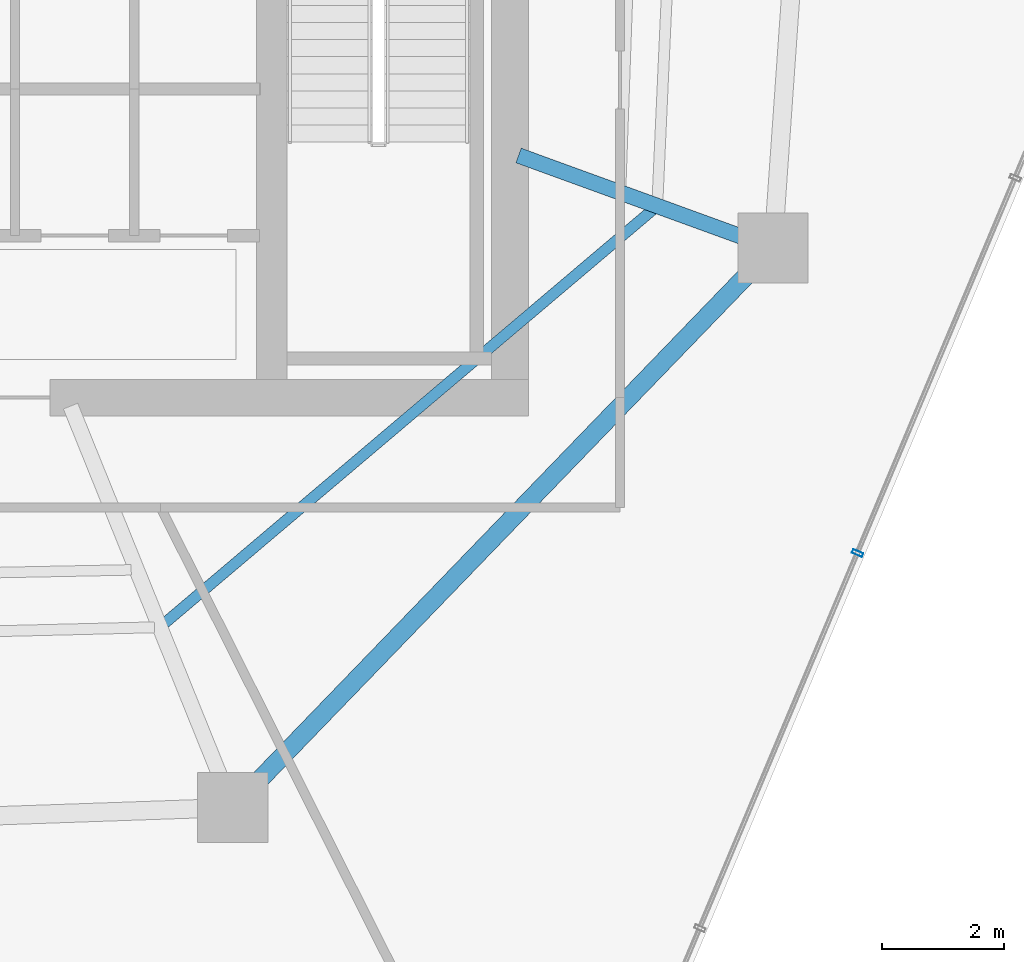
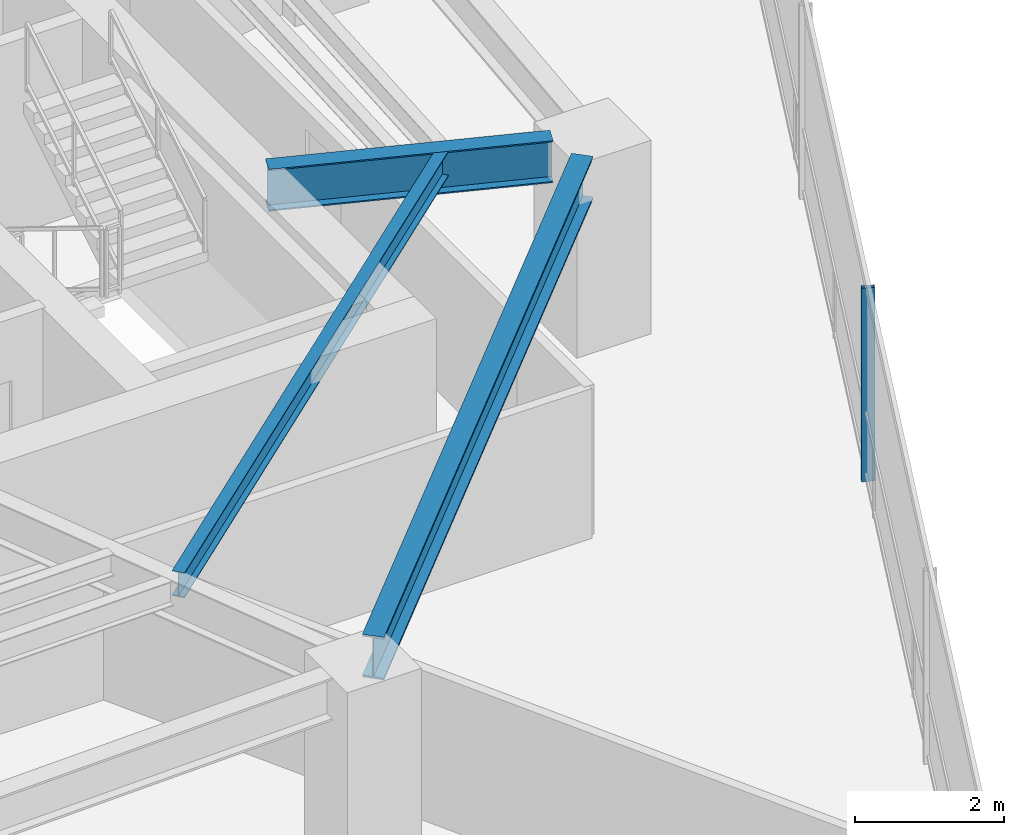
# One storey, part 12 of 30: 3 beams, 1 member, 1 element without a shape of its own.
"""IFC4 building model written with IfcOpenShell, lengths in metres."""

from ifc_helpers import new_model, si_unit, direction, frame, origin, origin_2d, place, context, subcontext, project, spatial, hollow_rectangle, i_section, extrude, material, layer, layer_set, material_profile, profile_set, type_object, element, aggregate, save


model = new_model("IFC4")

# Units and contexts
model_context = context("Model", 3, precision=1e-05, world=origin(), true_north=direction((0.0, 1.0)))
body_context = subcontext(model_context, "Body", "Model", "MODEL_VIEW")
ifc_project = project(units=[si_unit("LENGTHUNIT", "METRE"), si_unit("AREAUNIT", "SQUARE_METRE"), si_unit("VOLUMEUNIT", "CUBIC_METRE"), si_unit("PLANEANGLEUNIT", "RADIAN"), si_unit("MASSUNIT", "GRAM", prefix="KILO")], contexts=[model_context])

# Site, building, storey
site_placement = place(None, origin())
site = spatial("IfcSite", under=ifc_project, at=site_placement, CompositionType="ELEMENT")
building_placement = place(site_placement, origin())
building = spatial("IfcBuilding", under=site, at=building_placement, Name="Qarnah Convention Tower", CompositionType="ELEMENT")
storey_placement = place(building_placement, frame((0.0, 0.0, 93.60009765625)))
storey = spatial("IfcBuildingStorey", under=building, at=storey_placement, Name="L24", CompositionType="ELEMENT", Elevation=93.60009765625)

# Beams
ifc_material_1 = material(Name="Structural steel S355JR", Category="steel")
ifc_material_profile_1 = material_profile(ifc_material_1, i_section(OverallWidth=0.177978515625, OverallDepth=0.407958984375, WebThickness=0.008056640625, FlangeThickness=0.012939453125, at=origin_2d()), Name="W410X60")
ifc_profile_set_1 = profile_set([ifc_material_profile_1], Name="Structural steel S355JR")
beam_type_1 = type_object("IfcBeamType", Name="BM-JST-W410", PredefinedType="JOIST", material=ifc_profile_set_1)
beam_1_placement = place(storey_placement, frame((41.93896484375, 14.89990234375, 2.9658203125), z_axis=(0.763086867081, 0.646295933214, 0.0), x_axis=(-0.646295933214, 0.763086867081, 0.0)))
element("IfcBeam", 1, at=beam_1_placement, inside=storey, type_object=beam_type_1, Name="L24 joist BM-L24-SJST-08", PredefinedType="JOIST", context=body_context, shape_type="SweptSolid", body=[
    extrude(i_section(OverallWidth=0.177978515625, OverallDepth=0.407958984375, WebThickness=0.008056640625, FlangeThickness=0.012939453125, at=origin_2d()), origin(), (0.0, 0.0, 1.0), 10.487548828125),
])
ifc_material_profile_2 = material_profile(ifc_material_1, i_section(OverallWidth=0.25390625, OverallDepth=0.68798828125, WebThickness=0.012939453125, FlangeThickness=0.02099609375, at=origin_2d()), Name="W690X152")
ifc_profile_set_2 = profile_set([ifc_material_profile_2], Name="Structural steel S355JR")
beam_type_2 = type_object("IfcBeamType", Name="BM-RAD-W690", PredefinedType="BEAM", material=ifc_profile_set_2)
beam_2_placement = place(storey_placement, frame((47.740966796875, 22.56298828125, 2.825927734375), z_axis=(0.93969593668, -0.342011032845, 0.0), x_axis=(0.342011032845, 0.93969593668, 0.0)))
element("IfcBeam", 2, at=beam_2_placement, inside=storey, type_object=beam_type_2, Name="L24 beam BM-L24-RAD-09", PredefinedType="BEAM", context=body_context, shape_type="SweptSolid", body=[
    extrude(i_section(OverallWidth=0.25390625, OverallDepth=0.68798828125, WebThickness=0.012939453125, FlangeThickness=0.02099609375, at=origin_2d()), origin(), (0.0, 0.0, 1.0), 3.876953125),
])
ifc_material_profile_3 = material_profile(ifc_material_1, i_section(OverallWidth=0.300048828125, OverallDepth=0.699951171875, WebThickness=0.01708984375, FlangeThickness=0.031982421875, at=origin_2d()), Name="HEB700")
ifc_profile_set_3 = profile_set([ifc_material_profile_3], Name="Structural steel S355JR")
beam_type_3 = type_object("IfcBeamType", Name="BM-RING-HEB700", PredefinedType="BEAM", material=ifc_profile_set_3)
beam_3_placement = place(storey_placement, frame((43.455078125, 12.2958984375, 2.81982421875), z_axis=(0.694656478954, 0.719341626939, 0.0), x_axis=(-0.719341626939, 0.694656478954, 0.0)))
element("IfcBeam", 3, at=beam_3_placement, inside=storey, type_object=beam_type_3, Name="L24 beam BM-L24-SPN-08", PredefinedType="BEAM", context=body_context, shape_type="SweptSolid", body=[
    extrude(i_section(OverallWidth=0.300048828125, OverallDepth=0.699951171875, WebThickness=0.01708984375, FlangeThickness=0.031982421875, at=origin_2d()), origin(), (0.0, 0.0, 1.0), 11.60107421875),
])

# Curtain wall, member
ifc_material_2 = material(Name="Tempered Low-E dark glass", Category="glass")
ifc_layer = layer(ifc_material_2, 0.169921875)
ifc_layer_set = layer_set([ifc_layer], Name="Tempered Low-E dark glass")
curtain_wall_type = type_object("IfcCurtainWallType", Name="CWS-02", PredefinedType="NOTDEFINED", material=ifc_layer_set)
curtain_wall_placement = place(storey_placement, origin())
curtain_wall = element("IfcCurtainWall", 4, at=curtain_wall_placement, inside=storey, type_object=curtain_wall_type, Name="L24 unitised curtain wall CW-L24-F3", PredefinedType="NOTDEFINED")
ifc_material_3 = material(Name="Black anodised aluminium", Category="aluminium")
ifc_material_profile_4 = material_profile(ifc_material_3, hollow_rectangle(XDim=0.06494140625, YDim=0.179931640625, WallThickness=0.00390625, at=origin_2d()), Name="MUL-65X180")
ifc_profile_set_4 = profile_set([ifc_material_profile_4], Name="Black anodised aluminium")
member_type = type_object("IfcMemberType", Name="MUL-T2", PredefinedType="MULLION", material=ifc_profile_set_4)
member_placement = place(storey_placement, frame((53.290283203125, 16.05419921875, 0.0), z_axis=(0.0, 0.0, 1.0), x_axis=(-0.387506592377, -0.921866932298, 0.0)))
member = element("IfcMember", 5, at=member_placement, type_object=member_type, Name="CW-L24-F3 mullion 4", PredefinedType="MULLION", context=body_context, shape_type="SweptSolid", body=[
    extrude(hollow_rectangle(XDim=0.06494140625, YDim=0.179931640625, WallThickness=0.00390625, at=origin_2d()), origin(), (0.0, 0.0, 1.0), 3.169921875),
])
aggregate(curtain_wall, [member])

save(model, "model.ifc")
